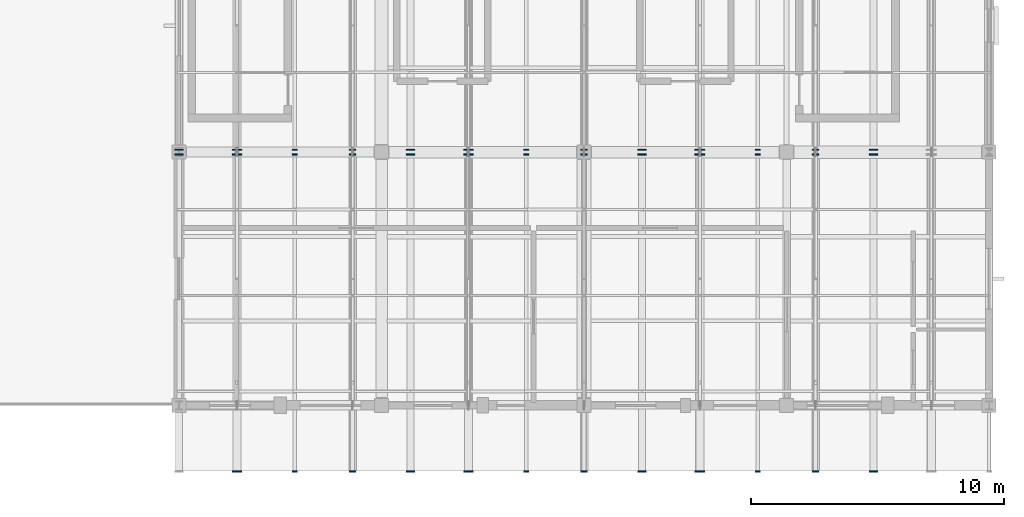
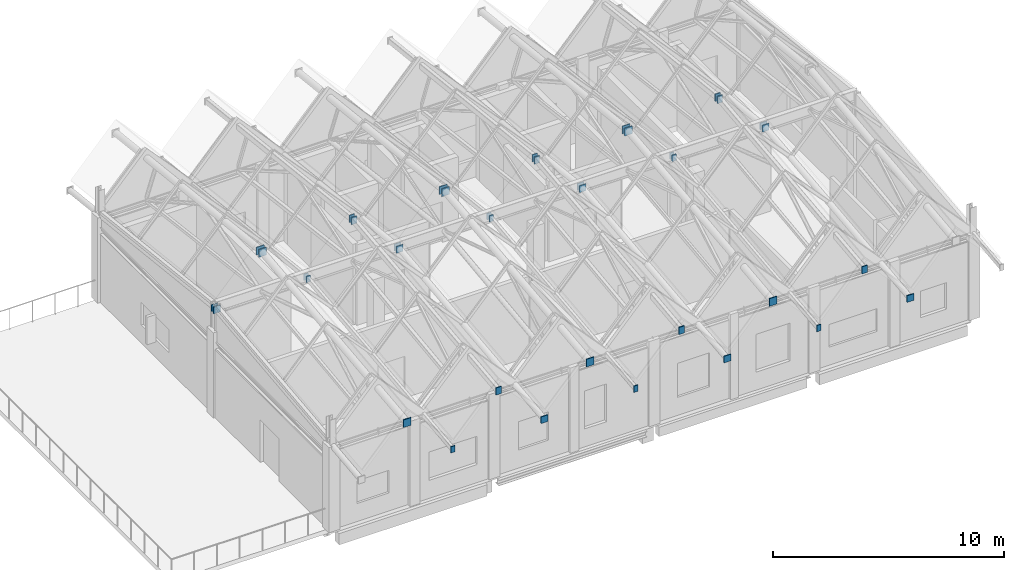
# One storey, part 12 of 15: 38 discrete accessories.
"""IFC4 building model written with IfcOpenShell, lengths in metres."""

from ifc_helpers import new_model, si_unit, direction, frame, origin, origin_2d, place, context, subcontext, project, spatial, rectangle, extrude, material, type_object, element, save


model = new_model("IFC4")

# Units and contexts
model_context = context("Model", 3, precision=1e-05, world=origin(), true_north=direction((0.0, 1.0)))
body_context = subcontext(model_context, "Body", "Model", "MODEL_VIEW")
ifc_project = project(units=[si_unit("LENGTHUNIT", "METRE"), si_unit("AREAUNIT", "SQUARE_METRE"), si_unit("VOLUMEUNIT", "CUBIC_METRE"), si_unit("PLANEANGLEUNIT", "RADIAN"), si_unit("MASSUNIT", "GRAM", prefix="KILO")], contexts=[model_context])

# Site, building, storey
site_placement = place(None, origin())
site = spatial("IfcSite", under=ifc_project, at=site_placement, CompositionType="ELEMENT")
building_placement = place(site_placement, origin())
building = spatial("IfcBuilding", under=site, at=building_placement, Name="Luwemba Playhouse", CompositionType="ELEMENT")
storey_placement = place(building_placement, frame((0.0, 0.0, 22.800048828125)))
storey = spatial("IfcBuildingStorey", under=building, at=storey_placement, Name="L05", CompositionType="ELEMENT", Elevation=22.800048828125)

# Discrete accessories
ifc_material = material(Name="Steel S355", Category="steel")
discrete_accessory_type = type_object("IfcDiscreteAccessoryType", Name="ACC-ENDCAP-S355", PredefinedType="BRACKET", material=ifc_material)
for number, where, z_axis, x_axis, name in (
    (1, (140.0, 104.90478515625, 5.371826171875), (0.0, 0.0, 1.0), (1.0, 0.0, 0.0), "Welded RHS end cap plate 0498"),
    (2, (140.0, 105.09521484375, 5.371826171875), (0.0, 0.0, 1.0), (1.0, 0.0, 0.0), "Welded RHS end cap plate 0499"),
):
    element("IfcDiscreteAccessory", number, at=place(storey_placement, frame(where, z_axis=z_axis, x_axis=x_axis)), inside=storey, type_object=discrete_accessory_type, Name=name, PredefinedType="BRACKET", context=body_context, shape_type="SweptSolid", body=[
        extrude(rectangle(XDim=0.3330078125, YDim=0.044921875, at=origin_2d()), origin(), (0.0, 0.0, 1.0), 0.35302734375),
    ])
for number, where, z_axis, x_axis, name in (
    (3, (142.28564453125, 92.385009765625, 6.16552734375), (0.0, 0.0, 1.0), (1.0, 0.0, 0.0), "Welded RHS end cap plate 0501"),
    (4, (142.28564453125, 104.90478515625, 7.5703125), (0.0, 0.0, 1.0), (1.0, 0.0, 0.0), "Welded RHS end cap plate 0502"),
    (5, (142.28564453125, 105.09521484375, 7.5703125), (0.0, 0.0, 1.0), (1.0, 0.0, 0.0), "Welded RHS end cap plate 0503"),
):
    element("IfcDiscreteAccessory", number, at=place(storey_placement, frame(where, z_axis=z_axis, x_axis=x_axis)), inside=storey, type_object=discrete_accessory_type, Name=name, PredefinedType="BRACKET", context=body_context, shape_type="SweptSolid", body=[
        extrude(rectangle(XDim=0.384033203125, YDim=0.044921875, at=origin_2d()), origin(), (0.0, 0.0, 1.0), 0.404052734375),
    ])
for number, where, z_axis, x_axis, name in (
    (6, (144.5712890625, 92.385009765625, 3.990234375), (0.0, 0.0, 1.0), (1.0, 0.0, 0.0), "Welded RHS end cap plate 0505"),
    (7, (144.5712890625, 104.90478515625, 5.39453125), (0.0, 0.0, 1.0), (1.0, 0.0, 0.0), "Welded RHS end cap plate 0506"),
    (8, (144.5712890625, 105.09521484375, 5.39453125), (0.0, 0.0, 1.0), (1.0, 0.0, 0.0), "Welded RHS end cap plate 0507"),
):
    element("IfcDiscreteAccessory", number, at=place(storey_placement, frame(where, z_axis=z_axis, x_axis=x_axis)), inside=storey, type_object=discrete_accessory_type, Name=name, PredefinedType="BRACKET", context=body_context, shape_type="SweptSolid", body=[
        extrude(rectangle(XDim=0.2099609375, YDim=0.044921875, at=origin_2d()), origin(), (0.0, 0.0, 1.0), 0.330078125),
    ])
for number, where, z_axis, x_axis, name in (
    (9, (146.857177734375, 92.385009765625, 6.2568359375), (0.0, 0.0, 1.0), (1.0, 0.0, 0.0), "Welded RHS end cap plate 0509"),
    (10, (146.857177734375, 104.90478515625, 7.661376953125), (0.0, 0.0, 1.0), (1.0, 0.0, 0.0), "Welded RHS end cap plate 0510"),
    (11, (146.857177734375, 105.09521484375, 7.661376953125), (0.0, 0.0, 1.0), (1.0, 0.0, 0.0), "Welded RHS end cap plate 0511"),
):
    element("IfcDiscreteAccessory", number, at=place(storey_placement, frame(where, z_axis=z_axis, x_axis=x_axis)), inside=storey, type_object=discrete_accessory_type, Name=name, PredefinedType="BRACKET", context=body_context, shape_type="SweptSolid", body=[
        extrude(rectangle(XDim=0.260009765625, YDim=0.044921875, at=origin_2d()), origin(), (0.0, 0.0, 1.0), 0.3798828125),
    ])
for number, where, z_axis, x_axis, name in (
    (12, (149.142822265625, 92.385009765625, 3.96728515625), (0.0, 0.0, 1.0), (1.0, 0.0, 0.0), "Welded RHS end cap plate 0513"),
    (13, (149.142822265625, 104.90478515625, 5.371826171875), (0.0, 0.0, 1.0), (1.0, 0.0, 0.0), "Welded RHS end cap plate 0514"),
    (14, (149.142822265625, 105.09521484375, 5.371826171875), (0.0, 0.0, 1.0), (1.0, 0.0, 0.0), "Welded RHS end cap plate 0515"),
):
    element("IfcDiscreteAccessory", number, at=place(storey_placement, frame(where, z_axis=z_axis, x_axis=x_axis)), inside=storey, type_object=discrete_accessory_type, Name=name, PredefinedType="BRACKET", context=body_context, shape_type="SweptSolid", body=[
        extrude(rectangle(XDim=0.3330078125, YDim=0.044921875, at=origin_2d()), origin(), (0.0, 0.0, 1.0), 0.35302734375),
    ])
for number, where, z_axis, x_axis, name in (
    (15, (151.4287109375, 92.385009765625, 6.16552734375), (0.0, 0.0, 1.0), (1.0, 0.0, 0.0), "Welded RHS end cap plate 0517"),
    (16, (151.4287109375, 104.90478515625, 7.56982421875), (0.0, 0.0, 1.0), (1.0, 0.0, 0.0), "Welded RHS end cap plate 0518"),
    (17, (151.4287109375, 105.09521484375, 7.56982421875), (0.0, 0.0, 1.0), (1.0, 0.0, 0.0), "Welded RHS end cap plate 0519"),
):
    element("IfcDiscreteAccessory", number, at=place(storey_placement, frame(where, z_axis=z_axis, x_axis=x_axis)), inside=storey, type_object=discrete_accessory_type, Name=name, PredefinedType="BRACKET", context=body_context, shape_type="SweptSolid", body=[
        extrude(rectangle(XDim=0.384033203125, YDim=0.044921875, at=origin_2d()), origin(), (0.0, 0.0, 1.0), 0.404052734375),
    ])
for number, where, z_axis, x_axis, name in (
    (18, (153.71435546875, 92.385009765625, 3.990234375), (0.0, 0.0, 1.0), (1.0, 0.0, 0.0), "Welded RHS end cap plate 0521"),
    (19, (153.71435546875, 104.90478515625, 5.394775390625), (0.0, 0.0, 1.0), (1.0, 0.0, 0.0), "Welded RHS end cap plate 0522"),
    (20, (153.71435546875, 105.09521484375, 5.394775390625), (0.0, 0.0, 1.0), (1.0, 0.0, 0.0), "Welded RHS end cap plate 0523"),
):
    element("IfcDiscreteAccessory", number, at=place(storey_placement, frame(where, z_axis=z_axis, x_axis=x_axis)), inside=storey, type_object=discrete_accessory_type, Name=name, PredefinedType="BRACKET", context=body_context, shape_type="SweptSolid", body=[
        extrude(rectangle(XDim=0.2099609375, YDim=0.044921875, at=origin_2d()), origin(), (0.0, 0.0, 1.0), 0.330078125),
    ])
for number, where, z_axis, x_axis, name in (
    (21, (156.0, 92.385009765625, 6.2568359375), (0.0, 0.0, 1.0), (1.0, 0.0, 0.0), "Welded RHS end cap plate 0525"),
    (22, (156.0, 104.90478515625, 7.661376953125), (0.0, 0.0, 1.0), (1.0, 0.0, 0.0), "Welded RHS end cap plate 0526"),
    (23, (156.0, 105.09521484375, 7.661376953125), (0.0, 0.0, 1.0), (1.0, 0.0, 0.0), "Welded RHS end cap plate 0527"),
):
    element("IfcDiscreteAccessory", number, at=place(storey_placement, frame(where, z_axis=z_axis, x_axis=x_axis)), inside=storey, type_object=discrete_accessory_type, Name=name, PredefinedType="BRACKET", context=body_context, shape_type="SweptSolid", body=[
        extrude(rectangle(XDim=0.260009765625, YDim=0.044921875, at=origin_2d()), origin(), (0.0, 0.0, 1.0), 0.3798828125),
    ])
for number, where, z_axis, x_axis, name in (
    (24, (158.28564453125, 92.385009765625, 3.96728515625), (0.0, 0.0, 1.0), (1.0, 0.0, 0.0), "Welded RHS end cap plate 0529"),
    (25, (158.28564453125, 104.90478515625, 5.371826171875), (0.0, 0.0, 1.0), (1.0, 0.0, 0.0), "Welded RHS end cap plate 0530"),
    (26, (158.28564453125, 105.09521484375, 5.371826171875), (0.0, 0.0, 1.0), (1.0, 0.0, 0.0), "Welded RHS end cap plate 0531"),
):
    element("IfcDiscreteAccessory", number, at=place(storey_placement, frame(where, z_axis=z_axis, x_axis=x_axis)), inside=storey, type_object=discrete_accessory_type, Name=name, PredefinedType="BRACKET", context=body_context, shape_type="SweptSolid", body=[
        extrude(rectangle(XDim=0.3330078125, YDim=0.044921875, at=origin_2d()), origin(), (0.0, 0.0, 1.0), 0.35302734375),
    ])
for number, where, z_axis, x_axis, name in (
    (27, (160.5712890625, 92.385009765625, 6.16552734375), (0.0, 0.0, 1.0), (1.0, 0.0, 0.0), "Welded RHS end cap plate 0533"),
    (28, (160.5712890625, 104.90478515625, 7.5703125), (0.0, 0.0, 1.0), (1.0, 0.0, 0.0), "Welded RHS end cap plate 0534"),
    (29, (160.5712890625, 105.09521484375, 7.5703125), (0.0, 0.0, 1.0), (1.0, 0.0, 0.0), "Welded RHS end cap plate 0535"),
):
    element("IfcDiscreteAccessory", number, at=place(storey_placement, frame(where, z_axis=z_axis, x_axis=x_axis)), inside=storey, type_object=discrete_accessory_type, Name=name, PredefinedType="BRACKET", context=body_context, shape_type="SweptSolid", body=[
        extrude(rectangle(XDim=0.384033203125, YDim=0.044921875, at=origin_2d()), origin(), (0.0, 0.0, 1.0), 0.404052734375),
    ])
for number, where, z_axis, x_axis, name in (
    (30, (162.857177734375, 92.385009765625, 3.990234375), (0.0, 0.0, 1.0), (1.0, 0.0, 0.0), "Welded RHS end cap plate 0537"),
    (31, (162.857177734375, 104.90478515625, 5.39453125), (0.0, 0.0, 1.0), (1.0, 0.0, 0.0), "Welded RHS end cap plate 0538"),
    (32, (162.857177734375, 105.09521484375, 5.39453125), (0.0, 0.0, 1.0), (1.0, 0.0, 0.0), "Welded RHS end cap plate 0539"),
):
    element("IfcDiscreteAccessory", number, at=place(storey_placement, frame(where, z_axis=z_axis, x_axis=x_axis)), inside=storey, type_object=discrete_accessory_type, Name=name, PredefinedType="BRACKET", context=body_context, shape_type="SweptSolid", body=[
        extrude(rectangle(XDim=0.2099609375, YDim=0.044921875, at=origin_2d()), origin(), (0.0, 0.0, 1.0), 0.330078125),
    ])
for number, where, z_axis, x_axis, name in (
    (33, (165.142822265625, 92.385009765625, 6.2568359375), (0.0, 0.0, 1.0), (1.0, 0.0, 0.0), "Welded RHS end cap plate 0541"),
    (34, (165.142822265625, 104.90478515625, 7.6611328125), (0.0, 0.0, 1.0), (1.0, 0.0, 0.0), "Welded RHS end cap plate 0542"),
    (35, (165.142822265625, 105.09521484375, 7.6611328125), (0.0, 0.0, 1.0), (1.0, 0.0, 0.0), "Welded RHS end cap plate 0543"),
):
    element("IfcDiscreteAccessory", number, at=place(storey_placement, frame(where, z_axis=z_axis, x_axis=x_axis)), inside=storey, type_object=discrete_accessory_type, Name=name, PredefinedType="BRACKET", context=body_context, shape_type="SweptSolid", body=[
        extrude(rectangle(XDim=0.260009765625, YDim=0.044921875, at=origin_2d()), origin(), (0.0, 0.0, 1.0), 0.3798828125),
    ])
for number, where, z_axis, x_axis, name in (
    (36, (167.4287109375, 92.385009765625, 3.96728515625), (0.0, 0.0, 1.0), (1.0, 0.0, 0.0), "Welded RHS end cap plate 0545"),
    (37, (167.4287109375, 104.90478515625, 5.371826171875), (0.0, 0.0, 1.0), (1.0, 0.0, 0.0), "Welded RHS end cap plate 0546"),
    (38, (167.4287109375, 105.09521484375, 5.371826171875), (0.0, 0.0, 1.0), (1.0, 0.0, 0.0), "Welded RHS end cap plate 0547"),
):
    element("IfcDiscreteAccessory", number, at=place(storey_placement, frame(where, z_axis=z_axis, x_axis=x_axis)), inside=storey, type_object=discrete_accessory_type, Name=name, PredefinedType="BRACKET", context=body_context, shape_type="SweptSolid", body=[
        extrude(rectangle(XDim=0.3330078125, YDim=0.044921875, at=origin_2d()), origin(), (0.0, 0.0, 1.0), 0.35302734375),
    ])

save(model, "model.ifc")
